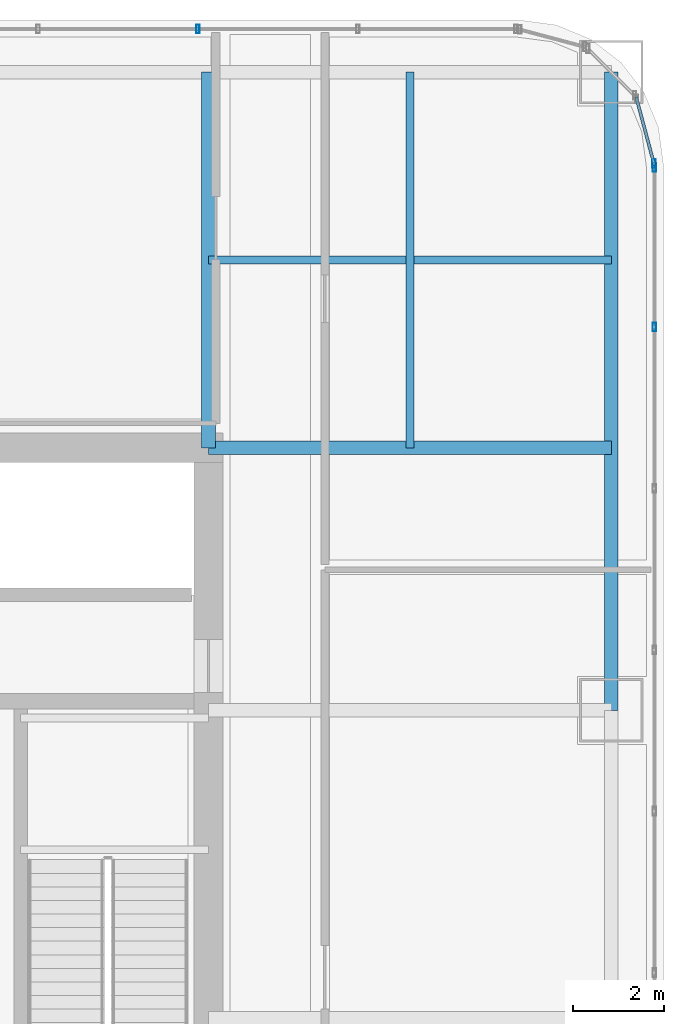
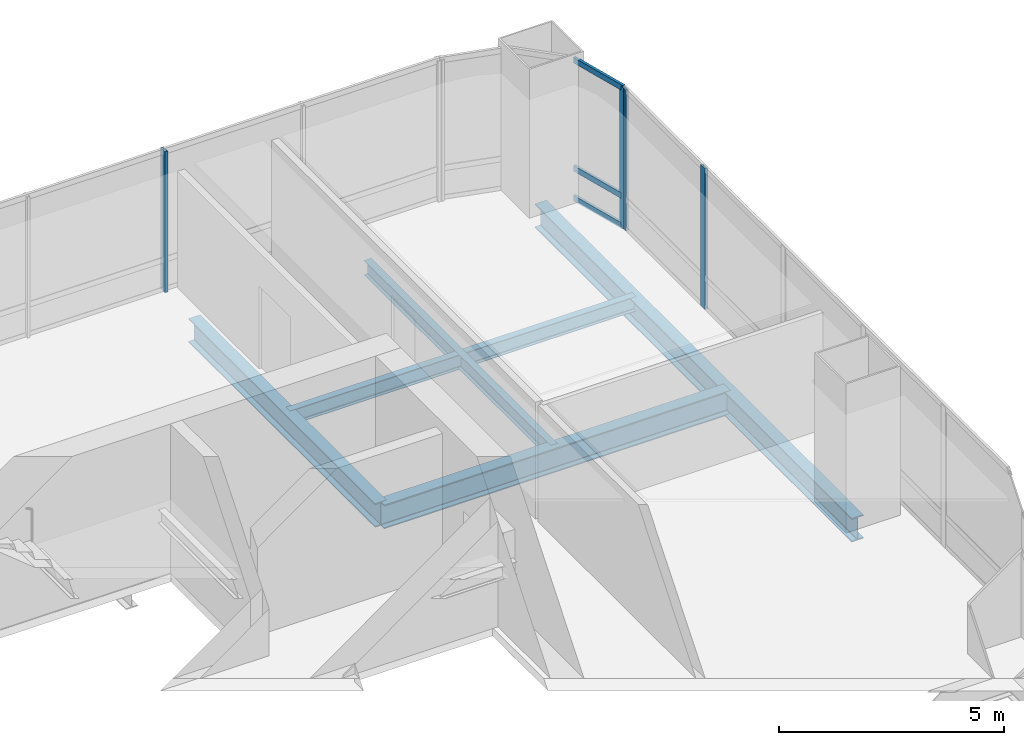
# One storey, part 25 of 36: 7 members, 5 beams, 3 elements without a shape of their own.
"""IFC4 building model written with IfcOpenShell, lengths in metres."""

from ifc_helpers import new_model, si_unit, direction, frame, origin, origin_2d, place, context, subcontext, project, spatial, hollow_rectangle, i_section, extrude, material, material_profile, profile_set, type_object, element, aggregate, save


model = new_model("IFC4")

# Units and contexts
model_context = context("Model", 3, precision=1e-05, world=origin(), true_north=direction((0.0, 1.0)))
body_context = subcontext(model_context, "Body", "Model", "MODEL_VIEW")
ifc_project = project(units=[si_unit("LENGTHUNIT", "METRE"), si_unit("AREAUNIT", "SQUARE_METRE"), si_unit("VOLUMEUNIT", "CUBIC_METRE"), si_unit("PLANEANGLEUNIT", "RADIAN"), si_unit("MASSUNIT", "GRAM", prefix="KILO")], contexts=[model_context])

# Site, building, storey
site_placement = place(None, origin())
site = spatial("IfcSite", under=ifc_project, at=site_placement, CompositionType="ELEMENT")
building_placement = place(site_placement, origin())
building = spatial("IfcBuilding", under=site, at=building_placement, Name="Punatoya Terracotta Tower", CompositionType="ELEMENT")
storey_placement = place(building_placement, frame((0.0, 0.0, 176.25)))
storey = spatial("IfcBuildingStorey", under=building, at=storey_placement, Name="L41", CompositionType="ELEMENT", Elevation=176.25)

# Beams
ifc_material_1 = material(Name="Steel S355", Category="steel")
ifc_material_profile_1 = material_profile(ifc_material_1, i_section(OverallWidth=0.300048828125, OverallDepth=0.64990234375, WebThickness=0.01611328125, FlangeThickness=0.031005859375, FilletRadius=0.01806640625, at=origin_2d()))
ifc_profile_set_1 = profile_set([ifc_material_profile_1], Name="Steel S355")
beam_type_1 = type_object("IfcBeamType", Name="BM-PRI-650", PredefinedType="BEAM", material=ifc_profile_set_1)
beam_1_placement = place(storey_placement, frame((19.10009765625, 3.39990234375, -0.544921875), z_axis=(0.0, 1.0, 0.0), x_axis=(-1.0, 0.0, 0.0)))
element("IfcBeam", 1, at=beam_1_placement, inside=storey, type_object=beam_type_1, Name="BM-L41-RG-E3", PredefinedType="BEAM", context=body_context, shape_type="SweptSolid", body=[
    extrude(i_section(OverallWidth=0.300048828125, OverallDepth=0.64990234375, WebThickness=0.01611328125, FlangeThickness=0.031005859375, FilletRadius=0.01806640625, at=origin_2d()), origin(), (0.0, 0.0, 1.0), 14.10009765625),
])
beam_2_placement = place(storey_placement, frame((10.199951171875, 9.199951171875, -0.544921875), z_axis=(1.0, 0.0, 0.0), x_axis=(0.0, 1.0, 0.0)))
element("IfcBeam", 2, at=beam_2_placement, inside=storey, type_object=beam_type_1, Name="BM-L41-PR-EN", PredefinedType="BEAM", context=body_context, shape_type="SweptSolid", body=[
    extrude(i_section(OverallWidth=0.300048828125, OverallDepth=0.64990234375, WebThickness=0.01611328125, FlangeThickness=0.031005859375, FilletRadius=0.01806640625, at=origin_2d()), origin(), (0.0, 0.0, 1.0), 8.900146484375),
])
beam_3_placement = place(storey_placement, frame((10.199951171875, 9.199951171875, -0.544921875), z_axis=(0.0, 1.0, 0.0), x_axis=(-1.0, 0.0, 0.0)))
element("IfcBeam", 3, at=beam_3_placement, inside=storey, type_object=beam_type_1, Name="BM-L41-PR-N4", PredefinedType="BEAM", context=body_context, shape_type="SweptSolid", body=[
    extrude(i_section(OverallWidth=0.300048828125, OverallDepth=0.64990234375, WebThickness=0.01611328125, FlangeThickness=0.031005859375, FilletRadius=0.01806640625, at=origin_2d()), origin(), (0.0, 0.0, 1.0), 8.300048828125),
])
ifc_material_profile_2 = material_profile(ifc_material_1, i_section(OverallWidth=0.179931640625, OverallDepth=0.39990234375, WebThickness=0.008544921875, FlangeThickness=0.013427734375, FilletRadius=0.01806640625, at=origin_2d()))
ifc_profile_set_2 = profile_set([ifc_material_profile_2], Name="Steel S355")
beam_type_2 = type_object("IfcBeamType", Name="BM-SEC-400", PredefinedType="JOIST", material=ifc_profile_set_2)
beam_4_placement = place(storey_placement, frame((10.199951171875, 13.35009765625, -0.419921875), z_axis=(1.0, 0.0, 0.0), x_axis=(0.0, 1.0, 0.0)))
element("IfcBeam", 4, at=beam_4_placement, inside=storey, type_object=beam_type_2, Name="BM-L41-SJN-2", PredefinedType="JOIST", context=body_context, shape_type="SweptSolid", body=[
    extrude(i_section(OverallWidth=0.179931640625, OverallDepth=0.39990234375, WebThickness=0.008544921875, FlangeThickness=0.013427734375, FilletRadius=0.01806640625, at=origin_2d()), origin(), (0.0, 0.0, 1.0), 8.900146484375),
])
beam_5_placement = place(storey_placement, frame((14.64990234375, 9.199951171875, -0.419921875), z_axis=(0.0, 1.0, 0.0), x_axis=(-1.0, 0.0, 0.0)))
element("IfcBeam", 5, at=beam_5_placement, inside=storey, type_object=beam_type_2, Name="BM-L41-SJE-2", PredefinedType="JOIST", context=body_context, shape_type="SweptSolid", body=[
    extrude(i_section(OverallWidth=0.179931640625, OverallDepth=0.39990234375, WebThickness=0.008544921875, FlangeThickness=0.013427734375, FilletRadius=0.01806640625, at=origin_2d()), origin(), (0.0, 0.0, 1.0), 8.300048828125),
])

# Curtain wall, members
ifc_material_2 = material(Name="Aluminium 6063-T6 + Double Low-E Glass", Category="aluminium")
curtain_wall_type = type_object("IfcCurtainWallType", Name="CW-M2", PredefinedType="NOTDEFINED", material=ifc_material_2)
curtain_wall_1_placement = place(storey_placement, origin())
curtain_wall_1 = element("IfcCurtainWall", 6, at=curtain_wall_1_placement, inside=storey, type_object=curtain_wall_type, Name="L41 Curtain Wall CW-L41-E05-1", PredefinedType="NOTDEFINED")
ifc_material_3 = material(Name="Aluminium 6063-T6", Category="aluminium")
ifc_material_profile_3 = material_profile(ifc_material_3, hollow_rectangle(XDim=0.072021484375, YDim=0.195068359375, WallThickness=0.00439453125, at=origin_2d()))
ifc_profile_set_3 = profile_set([ifc_material_profile_3], Name="Aluminium 6063-T6")
member_type_1 = type_object("IfcMemberType", Name="CW-MUL-M2", PredefinedType="MULLION", material=ifc_profile_set_3)
member_1_placement = place(storey_placement, frame((20.050048828125, 11.869384765625, 0.0), z_axis=(0.0, 0.0, 1.0), x_axis=(1.0, 0.0, 0.0)))
member_1 = element("IfcMember", 7, at=member_1_placement, type_object=member_type_1, Name="CW-L41-E05-1 Mullion 09", PredefinedType="MULLION", context=body_context, shape_type="SweptSolid", body=[
    extrude(hollow_rectangle(XDim=0.072021484375, YDim=0.195068359375, WallThickness=0.00439453125, at=origin_2d()), origin(), (0.0, 0.0, 1.0), 3.830078125),
])
member_2_placement = place(storey_placement, frame((20.050048828125, 15.391845703125, 0.0), z_axis=(0.0, 0.0, 1.0), x_axis=(1.0, 0.0, 0.0)))
member_2 = element("IfcMember", 8, at=member_2_placement, type_object=member_type_1, Name="CW-L41-E05-1 Mullion 10", PredefinedType="MULLION", context=body_context, shape_type="SweptSolid", body=[
    extrude(hollow_rectangle(XDim=0.072021484375, YDim=0.195068359375, WallThickness=0.00439453125, at=origin_2d()), origin(), (0.0, 0.0, 1.0), 3.830078125),
])
aggregate(curtain_wall_1, [member_1, member_2])

# Curtain wall, member
curtain_wall_2_placement = place(storey_placement, origin())
curtain_wall_2 = element("IfcCurtainWall", 9, at=curtain_wall_2_placement, inside=storey, type_object=curtain_wall_type, Name="L41 Curtain Wall CW-L41-CRN06", PredefinedType="NOTDEFINED")
member_3_placement = place(storey_placement, frame((20.038330078125, 15.48046875, 0.0), z_axis=(0.0, 0.0, 1.0), x_axis=(1.0, 0.0, 0.0)))
member_3 = element("IfcMember", 10, at=member_3_placement, type_object=member_type_1, Name="CW-L41-CRN06 Mullion 00", PredefinedType="MULLION", context=body_context, shape_type="SweptSolid", body=[
    extrude(hollow_rectangle(XDim=0.072021484375, YDim=0.195068359375, WallThickness=0.00439453125, at=origin_2d()), origin(), (0.0, 0.0, 1.0), 3.830078125),
])

curtain_wall_3_placement = place(storey_placement, origin())
curtain_wall_3 = element("IfcCurtainWall", 11, at=curtain_wall_3_placement, inside=storey, type_object=curtain_wall_type, Name="L41 Curtain Wall CW-L41-N09-1", PredefinedType="NOTDEFINED")
member_4_placement = place(storey_placement, frame((9.968994140625, 18.449951171875, 0.0), z_axis=(0.0, 0.0, 1.0), x_axis=(1.0, 0.0, 0.0)))
member_4 = element("IfcMember", 12, at=member_4_placement, type_object=member_type_1, Name="CW-L41-N09-1 Mullion 02", PredefinedType="MULLION", context=body_context, shape_type="SweptSolid", body=[
    extrude(hollow_rectangle(XDim=0.072021484375, YDim=0.195068359375, WallThickness=0.00439453125, at=origin_2d()), origin(), (0.0, 0.0, 1.0), 3.830078125),
])
aggregate(curtain_wall_3, [member_4])

# Member
ifc_material_profile_4 = material_profile(ifc_material_3, hollow_rectangle(XDim=0.068115234375, YDim=0.14990234375, WallThickness=0.00390625, at=origin_2d()))
ifc_profile_set_4 = profile_set([ifc_material_profile_4], Name="Aluminium 6063-T6")
member_type_2 = type_object("IfcMemberType", Name="CW-TRN-TYP", PredefinedType="USERDEFINED", material=ifc_profile_set_4)
member_5_placement = place(storey_placement, frame((20.050048828125, 15.43701171875, 0.0400390625), z_axis=(-0.257847112249, 0.966185730957, 0.0), x_axis=(-0.966185730957, -0.257847112249, 0.0)))
member_5 = element("IfcMember", 13, at=member_5_placement, type_object=member_type_2, Name="CW-L41-CRN06 Transom 1", ObjectType="TRANSOM", PredefinedType="USERDEFINED", context=body_context, shape_type="SweptSolid", body=[
    extrude(hollow_rectangle(XDim=0.068115234375, YDim=0.14990234375, WallThickness=0.00390625, at=origin_2d()), origin(), (0.0, 0.0, 1.0), 1.565185546875),
])

member_6_placement = place(storey_placement, frame((20.050048828125, 15.43701171875, 0.85009765625), z_axis=(-0.257847112249, 0.966185730957, 0.0), x_axis=(-0.966185730957, -0.257847112249, 0.0)))
member_6 = element("IfcMember", 14, at=member_6_placement, type_object=member_type_2, Name="CW-L41-CRN06 Transom 2", ObjectType="TRANSOM", PredefinedType="USERDEFINED", context=body_context, shape_type="SweptSolid", body=[
    extrude(hollow_rectangle(XDim=0.068115234375, YDim=0.14990234375, WallThickness=0.00390625, at=origin_2d()), origin(), (0.0, 0.0, 1.0), 1.565185546875),
])

member_7_placement = place(storey_placement, frame((20.050048828125, 15.43701171875, 3.7900390625), z_axis=(-0.257847112249, 0.966185730957, 0.0), x_axis=(-0.966185730957, -0.257847112249, 0.0)))
member_7 = element("IfcMember", 15, at=member_7_placement, type_object=member_type_2, Name="CW-L41-CRN06 Transom 3", ObjectType="TRANSOM", PredefinedType="USERDEFINED", context=body_context, shape_type="SweptSolid", body=[
    extrude(hollow_rectangle(XDim=0.068115234375, YDim=0.14990234375, WallThickness=0.00390625, at=origin_2d()), origin(), (0.0, 0.0, 1.0), 1.565185546875),
])

aggregate(curtain_wall_2, [member_3, member_5, member_6, member_7])

save(model, "model.ifc")
